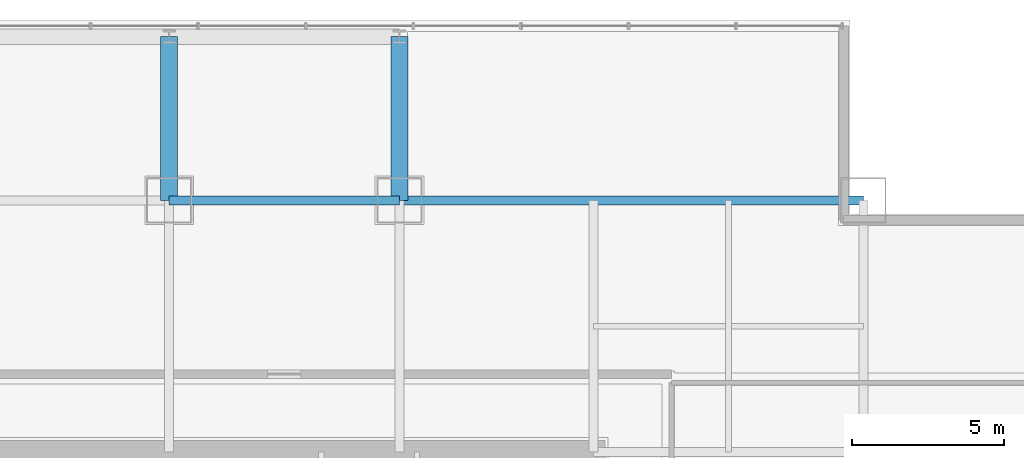
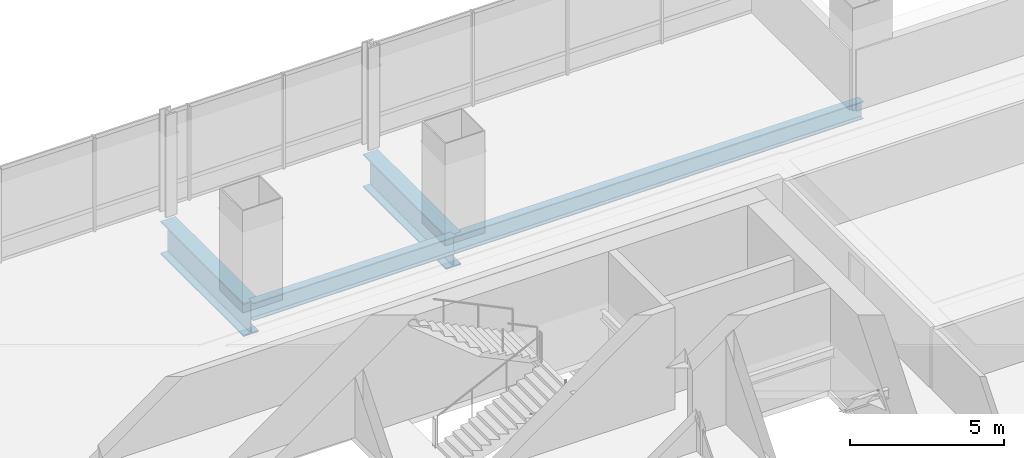
# One storey, part 21 of 33: 4 beams.
"""IFC4 building model written with IfcOpenShell, lengths in metres."""

from ifc_helpers import new_model, si_unit, direction, frame, origin, origin_2d, place, context, subcontext, project, spatial, i_section, extrude, material, material_profile, profile_set, type_object, element, save


model = new_model("IFC4")

# Units and contexts
model_context = context("Model", 3, precision=1e-05, world=origin(), true_north=direction((0.0, 1.0)))
body_context = subcontext(model_context, "Body", "Model", "MODEL_VIEW")
ifc_project = project(units=[si_unit("LENGTHUNIT", "METRE"), si_unit("AREAUNIT", "SQUARE_METRE"), si_unit("VOLUMEUNIT", "CUBIC_METRE"), si_unit("PLANEANGLEUNIT", "RADIAN"), si_unit("MASSUNIT", "GRAM", prefix="KILO")], contexts=[model_context])

# Site, building, storey
site_placement = place(None, origin())
site = spatial("IfcSite", under=ifc_project, at=site_placement, CompositionType="ELEMENT")
building_placement = place(site_placement, origin())
building = spatial("IfcBuilding", under=site, at=building_placement, Name="Punatoya Terracotta Tower", CompositionType="ELEMENT")
storey_placement = place(building_placement, frame((0.0, 0.0, 121.35009765625)))
storey = spatial("IfcBuildingStorey", under=building, at=storey_placement, Name="L28", CompositionType="ELEMENT", Elevation=121.35009765625)

# Beams
ifc_material_1 = material(Name="Steel S355", Category="steel")
ifc_material_profile_1 = material_profile(ifc_material_1, i_section(OverallWidth=0.300048828125, OverallDepth=0.699951171875, WebThickness=0.01708984375, FlangeThickness=0.031982421875, FilletRadius=0.01806640625, at=origin_2d()))
ifc_profile_set_1 = profile_set([ifc_material_profile_1], Name="Steel S355")
beam_type_1 = type_object("IfcBeamType", Name="BM-PRI-700", PredefinedType="BEAM", material=ifc_profile_set_1)
beam_1_placement = place(storey_placement, frame((-3.800048828125, 17.5, -0.590087890625), z_axis=(1.0, 0.0, 0.0), x_axis=(0.0, 1.0, 0.0)))
element("IfcBeam", 1, at=beam_1_placement, inside=storey, type_object=beam_type_1, Name="BM-L28-RG-N2", PredefinedType="BEAM", context=body_context, shape_type="SweptSolid", body=[
    extrude(i_section(OverallWidth=0.300048828125, OverallDepth=0.699951171875, WebThickness=0.01708984375, FlangeThickness=0.031982421875, FilletRadius=0.01806640625, at=origin_2d()), origin(), (0.0, 0.0, 1.0), 7.60009765625),
])
beam_2_placement = place(storey_placement, frame((3.800048828125, 17.5, -0.590087890625), z_axis=(1.0, 0.0, 0.0), x_axis=(0.0, 1.0, 0.0)))
element("IfcBeam", 2, at=beam_2_placement, inside=storey, type_object=beam_type_1, Name="BM-L28-RG-N3", PredefinedType="BEAM", context=body_context, shape_type="SweptSolid", body=[
    extrude(i_section(OverallWidth=0.300048828125, OverallDepth=0.699951171875, WebThickness=0.01708984375, FlangeThickness=0.031982421875, FilletRadius=0.01806640625, at=origin_2d()), origin(), (0.0, 0.0, 1.0), 15.300048828125),
])
ifc_material_2 = material(Name="Steel S460", Category="steel")
ifc_material_profile_2 = material_profile(ifc_material_2, i_section(OverallWidth=0.56005859375, OverallDepth=1.320068359375, WebThickness=0.035888671875, FlangeThickness=0.054931640625, FilletRadius=0.01806640625, at=origin_2d()))
ifc_profile_set_2 = profile_set([ifc_material_profile_2], Name="Steel S460")
beam_type_2 = type_object("IfcBeamType", Name="BM-TG-BLK", PredefinedType="BEAM", material=ifc_profile_set_2)
for number, where, z_axis, x_axis, name in (
    (3, (-3.800048828125, 17.5, -0.900146484375), (0.0, 1.0, 0.0), (-1.0, 0.0, 0.0), "BM-L28-CANT-N2"),
    (4, (3.800048828125, 17.5, -0.900146484375), (0.0, 1.0, 0.0), (-1.0, 0.0, 0.0), "BM-L28-CANT-N3"),
):
    element("IfcBeam", number, at=place(storey_placement, frame(where, z_axis=z_axis, x_axis=x_axis)), inside=storey, type_object=beam_type_2, Name=name, PredefinedType="BEAM", context=body_context, shape_type="SweptSolid", body=[
        extrude(i_section(OverallWidth=0.56005859375, OverallDepth=1.320068359375, WebThickness=0.035888671875, FlangeThickness=0.054931640625, FilletRadius=0.01806640625, at=origin_2d()), origin(), (0.0, 0.0, 1.0), 5.39990234375),
    ])

save(model, "model.ifc")
